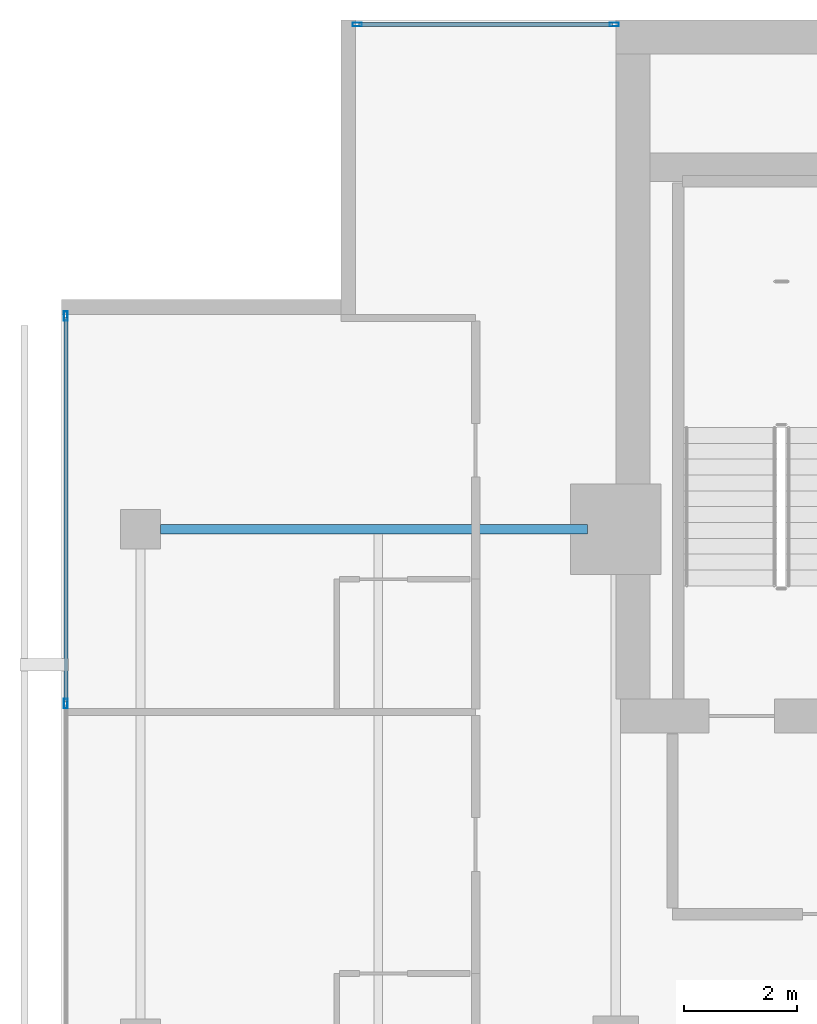
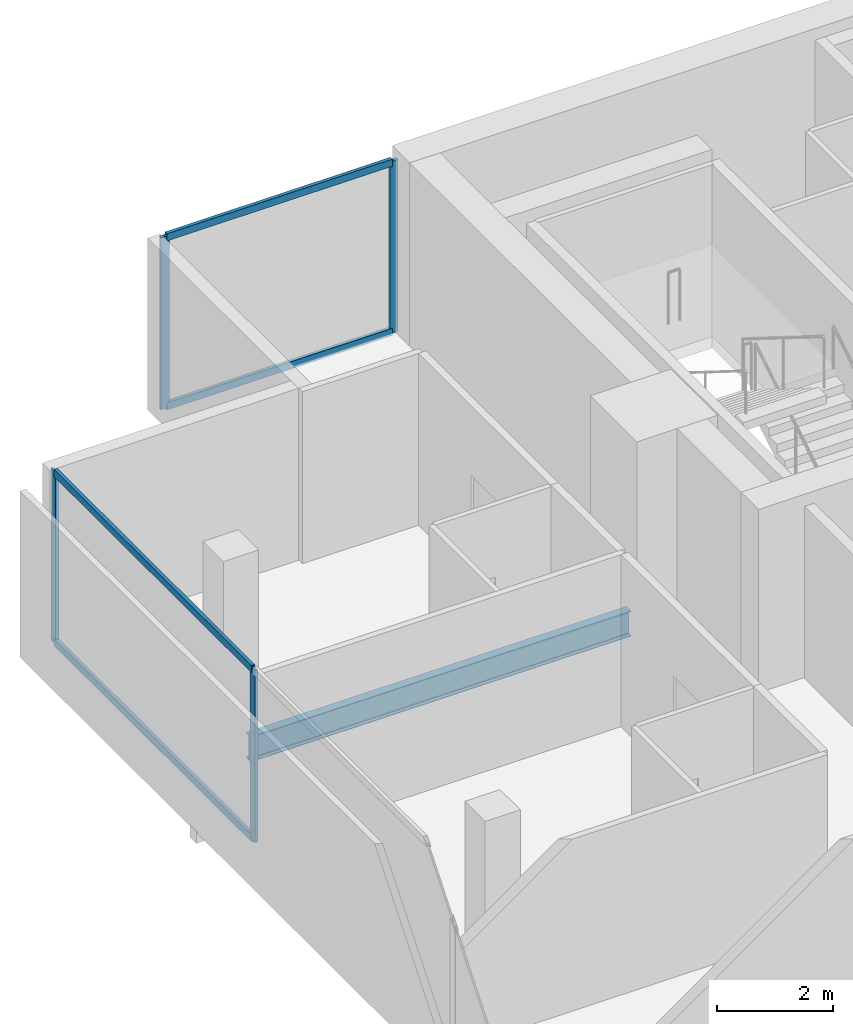
# One storey, part 16 of 25: 8 members, 1 beam, 2 elements without a shape of their own.
"""IFC4 building model written with IfcOpenShell, lengths in metres."""

from ifc_helpers import new_model, si_unit, direction, frame, origin, origin_2d, place, context, subcontext, project, spatial, hollow_rectangle, i_section, extrude, material, layer, layer_set, material_profile, profile_set, type_object, element, aggregate, save


model = new_model("IFC4")

# Units and contexts
model_context = context("Model", 3, precision=1e-05, world=origin(), true_north=direction((0.0, 1.0)))
body_context = subcontext(model_context, "Body", "Model", "MODEL_VIEW")
ifc_project = project(units=[si_unit("LENGTHUNIT", "METRE"), si_unit("AREAUNIT", "SQUARE_METRE"), si_unit("VOLUMEUNIT", "CUBIC_METRE"), si_unit("PLANEANGLEUNIT", "RADIAN"), si_unit("MASSUNIT", "GRAM", prefix="KILO")], contexts=[model_context])

# Site, building, storey
site_placement = place(None, origin())
site = spatial("IfcSite", under=ifc_project, at=site_placement, CompositionType="ELEMENT")
building_placement = place(site_placement, origin())
building = spatial("IfcBuilding", under=site, at=building_placement, Name="Maruvema Waterfront Hotel and Observation Tower", CompositionType="ELEMENT")
storey_placement = place(building_placement, frame((0.0, 0.0, 297.14990234375)))
storey = spatial("IfcBuildingStorey", under=building, at=storey_placement, Name="L73", CompositionType="ELEMENT", Elevation=297.14990234375)

# Curtain wall, members
ifc_material_1 = material(Name="Anodised bronze aluminium and solar-control low-E IGU", Category="aluminium")
ifc_layer = layer(ifc_material_1, 0.159912109375, Name="Zone 3 Champagne Inner Thermal Curtain Wall System CW-04")
ifc_layer_set = layer_set([ifc_layer], Name="Anodised bronze aluminium and solar-control low-E IGU")
curtain_wall_type = type_object("IfcCurtainWallType", Name="Zone 3 Champagne Inner Thermal Curtain Wall System CW-04", PredefinedType="USERDEFINED", material=ifc_layer_set)
curtain_wall_1_placement = place(storey_placement, origin())
curtain_wall_1 = element("IfcCurtainWall", 1, at=curtain_wall_1_placement, inside=storey, type_object=curtain_wall_type, Name="L73 Curtain Wall CW-L73-W", ObjectType="UNITISED CURTAIN WALL", PredefinedType="USERDEFINED")
ifc_material_2 = material(Name="Anodised architectural bronze aluminium", Category="aluminium")
ifc_material_profile_1 = material_profile(ifc_material_2, hollow_rectangle(XDim=0.070068359375, YDim=0.14990234375, WallThickness=0.00390625, at=origin_2d()), Name="ALU-T70x150")
ifc_profile_set_1 = profile_set([ifc_material_profile_1], Name="Anodised architectural bronze aluminium")
member_type_1 = type_object("IfcMemberType", Name="Curtain Wall Horizontal Transom ALU-T70x150", PredefinedType="USERDEFINED", material=ifc_profile_set_1)
member_1_placement = place(storey_placement, frame((15.47998046875, 48.739990234375, 0.030029296875), z_axis=(0.0, -1.0, 0.0), x_axis=(1.0, 0.0, 0.0)))
member_1 = element("IfcMember", 2, at=member_1_placement, type_object=member_type_1, Name="CW-04 transom 1.1", ObjectType="TRANSOM", PredefinedType="USERDEFINED", context=body_context, shape_type="SweptSolid", body=[
    extrude(hollow_rectangle(XDim=0.070068359375, YDim=0.14990234375, WallThickness=0.00390625, at=origin_2d()), origin(), (0.0, 0.0, 1.0), 6.7900390625),
])
member_2_placement = place(storey_placement, frame((15.47998046875, 48.739990234375, 3.580078125), z_axis=(0.0, -1.0, 0.0), x_axis=(1.0, 0.0, 0.0)))
member_2 = element("IfcMember", 3, at=member_2_placement, type_object=member_type_1, Name="CW-04 transom 1.2", ObjectType="TRANSOM", PredefinedType="USERDEFINED", context=body_context, shape_type="SweptSolid", body=[
    extrude(hollow_rectangle(XDim=0.070068359375, YDim=0.14990234375, WallThickness=0.00390625, at=origin_2d()), origin(), (0.0, 0.0, 1.0), 6.7900390625),
])

curtain_wall_2_placement = place(storey_placement, origin())
curtain_wall_2 = element("IfcCurtainWall", 4, at=curtain_wall_2_placement, inside=storey, type_object=curtain_wall_type, Name="L73 Curtain Wall CW-L73-NW", ObjectType="UNITISED CURTAIN WALL", PredefinedType="USERDEFINED")
member_3_placement = place(storey_placement, frame((25.139892578125, 53.919921875, 0.030029296875), z_axis=(-1.0, 0.0, 0.0), x_axis=(0.0, -1.0, 0.0)))
member_3 = element("IfcMember", 5, at=member_3_placement, type_object=member_type_1, Name="CW-04 transom 1.1", ObjectType="TRANSOM", PredefinedType="USERDEFINED", context=body_context, shape_type="SweptSolid", body=[
    extrude(hollow_rectangle(XDim=0.070068359375, YDim=0.14990234375, WallThickness=0.00390625, at=origin_2d()), origin(), (0.0, 0.0, 1.0), 4.47998046875),
])
member_4_placement = place(storey_placement, frame((25.139892578125, 53.919921875, 3.580078125), z_axis=(-1.0, 0.0, 0.0), x_axis=(0.0, -1.0, 0.0)))
member_4 = element("IfcMember", 6, at=member_4_placement, type_object=member_type_1, Name="CW-04 transom 1.2", ObjectType="TRANSOM", PredefinedType="USERDEFINED", context=body_context, shape_type="SweptSolid", body=[
    extrude(hollow_rectangle(XDim=0.070068359375, YDim=0.14990234375, WallThickness=0.00390625, at=origin_2d()), origin(), (0.0, 0.0, 1.0), 4.47998046875),
])

# Member
ifc_material_3 = material(Name="Anodised architectural bronze aluminium", Category="aluminium")
ifc_material_profile_2 = material_profile(ifc_material_3, hollow_rectangle(XDim=0.06494140625, YDim=0.1650390625, WallThickness=0.00390625, at=origin_2d()), Name="ALU-M65x165")
ifc_profile_set_2 = profile_set([ifc_material_profile_2], Name="Anodised architectural bronze aluminium")
member_type_2 = type_object("IfcMemberType", Name="Curtain Wall Primary Mullion ALU-M65x165", PredefinedType="MULLION", material=ifc_profile_set_2)
member_5_placement = place(storey_placement, frame((15.47998046875, 48.77001953125, 0.0), z_axis=(0.0, 0.0, 1.0), x_axis=(1.0, 0.0, 0.0)))
member_5 = element("IfcMember", 7, at=member_5_placement, type_object=member_type_2, Name="CW-04 mullion 1", PredefinedType="MULLION", context=body_context, shape_type="SweptSolid", body=[
    extrude(hollow_rectangle(XDim=0.06494140625, YDim=0.1650390625, WallThickness=0.00390625, at=origin_2d()), origin(), (0.0, 0.0, 1.0), 3.610107421875),
])

member_6_placement = place(storey_placement, frame((15.47998046875, 41.919921875, 0.0), z_axis=(0.0, 0.0, 1.0), x_axis=(1.0, 0.0, 0.0)))
member_6 = element("IfcMember", 8, at=member_6_placement, type_object=member_type_2, Name="CW-04 mullion 2", PredefinedType="MULLION", context=body_context, shape_type="SweptSolid", body=[
    extrude(hollow_rectangle(XDim=0.06494140625, YDim=0.1650390625, WallThickness=0.00390625, at=origin_2d()), origin(), (0.0, 0.0, 1.0), 3.610107421875),
])

aggregate(curtain_wall_1, [member_5, member_6, member_1, member_2])

member_7_placement = place(storey_placement, frame((25.169921875, 53.919921875, 0.0), z_axis=(0.0, 0.0, 1.0), x_axis=(0.0, -1.0, 0.0)))
member_7 = element("IfcMember", 9, at=member_7_placement, type_object=member_type_2, Name="CW-04 mullion 1", PredefinedType="MULLION", context=body_context, shape_type="SweptSolid", body=[
    extrude(hollow_rectangle(XDim=0.06494140625, YDim=0.1650390625, WallThickness=0.00390625, at=origin_2d()), origin(), (0.0, 0.0, 1.0), 3.610107421875),
])

member_8_placement = place(storey_placement, frame((20.6298828125, 53.919921875, 0.0), z_axis=(0.0, 0.0, 1.0), x_axis=(0.0, -1.0, 0.0)))
member_8 = element("IfcMember", 10, at=member_8_placement, type_object=member_type_2, Name="CW-04 mullion 2", PredefinedType="MULLION", context=body_context, shape_type="SweptSolid", body=[
    extrude(hollow_rectangle(XDim=0.06494140625, YDim=0.1650390625, WallThickness=0.00390625, at=origin_2d()), origin(), (0.0, 0.0, 1.0), 3.610107421875),
])

aggregate(curtain_wall_2, [member_7, member_8, member_3, member_4])

# Beam
ifc_material_4 = material(Name="Steel ASTM A572 Grade 50", Category="steel")
ifc_material_profile_3 = material_profile(ifc_material_4, i_section(OverallWidth=0.166015625, OverallDepth=0.529052734375, WebThickness=0.009765625, FlangeThickness=0.013671875, FilletRadius=0.014892578125, at=origin_2d()), Name="W530x74.0")
ifc_profile_set_3 = profile_set([ifc_material_profile_3], Name="Steel ASTM A572 Grade 50")
beam_type = type_object("IfcBeamType", Name="Primary Floor Girder W530x74.0", PredefinedType="BEAM", material=ifc_profile_set_3)
beam_placement = place(storey_placement, frame((17.14990234375, 45.0, -0.50439453125), z_axis=(1.0, 0.0, 0.0), x_axis=(0.0, 1.0, 0.0)))
element("IfcBeam", 11, at=beam_placement, inside=storey, type_object=beam_type, Name="L73 Floor Girder EW-17", PredefinedType="BEAM", context=body_context, shape_type="SweptSolid", body=[
    extrude(i_section(OverallWidth=0.166015625, OverallDepth=0.529052734375, WebThickness=0.009765625, FlangeThickness=0.013671875, FilletRadius=0.014892578125, at=origin_2d()), origin(), (0.0, 0.0, 1.0), 7.550048828125),
])

save(model, "model.ifc")
